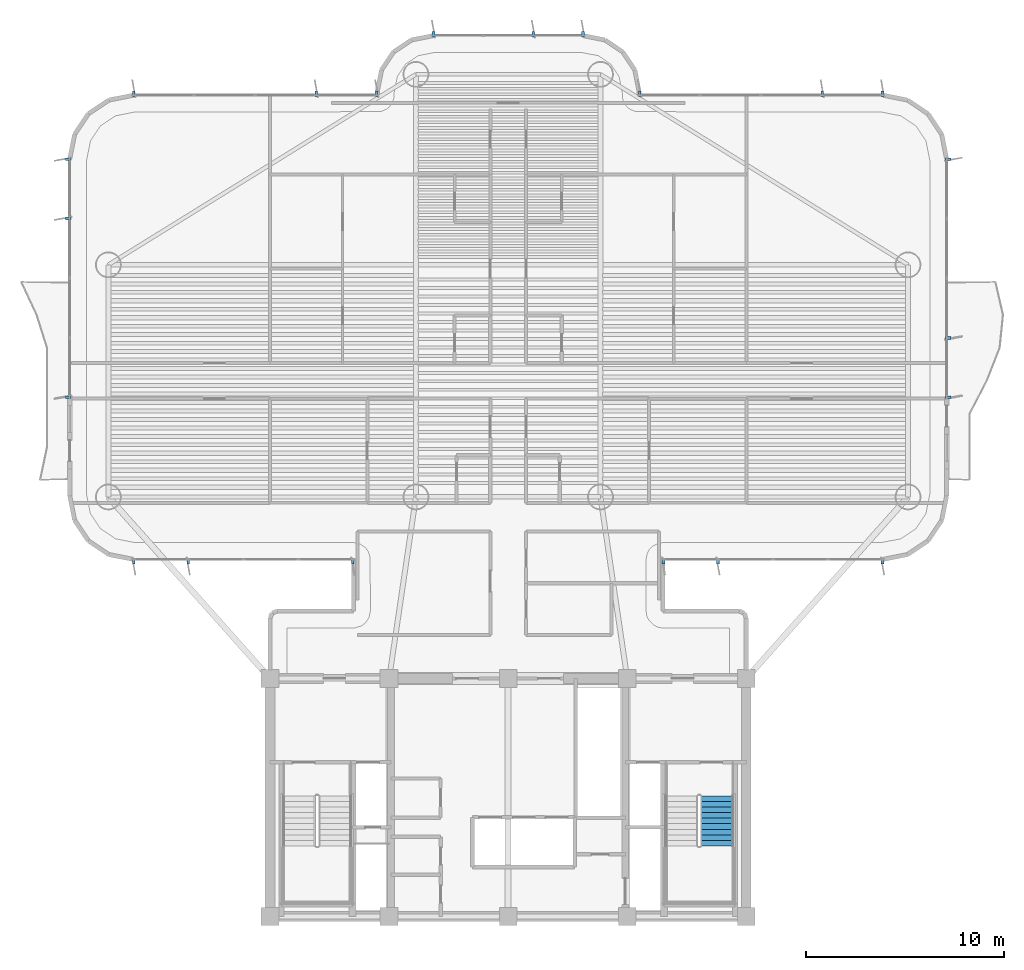
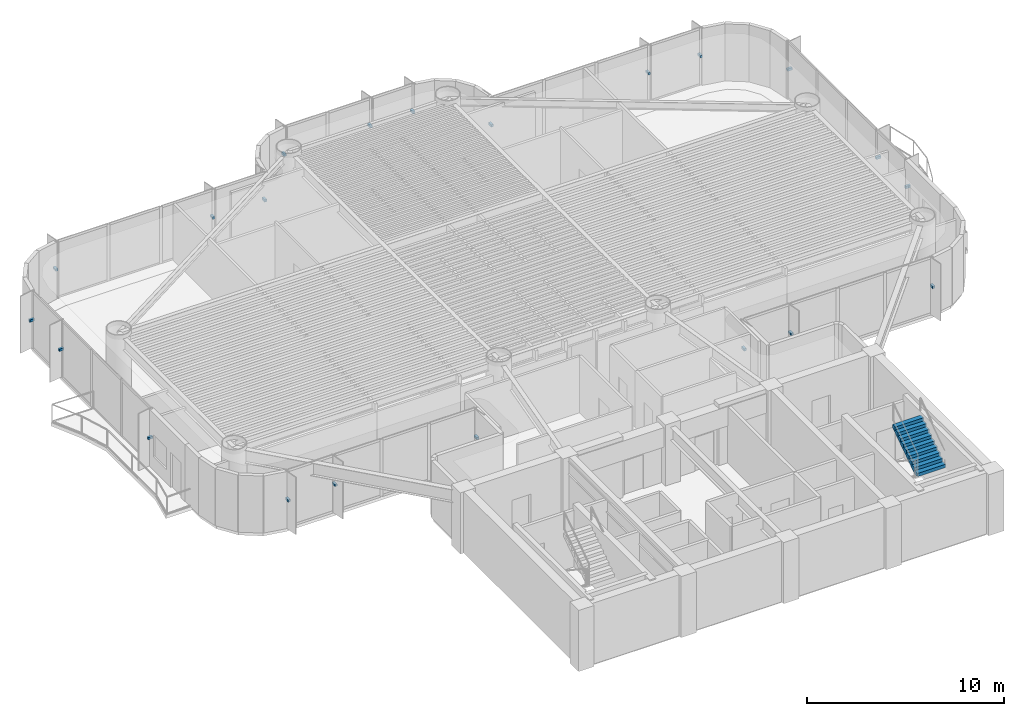
# One storey, part 13 of 17: 21 discrete accessories, 1 stair flight, 1 element without a shape of its own.
"""IFC4 building model written with IfcOpenShell, lengths in metres."""

from ifc_helpers import new_model, si_unit, direction, frame, origin, origin_2d, place, context, subcontext, project, spatial, polyline, rectangle, outline, extrude, source, transform, mapped, material, type_object, element, aggregate, save


model = new_model("IFC4")

# Units and contexts
model_context = context("Model", 3, precision=1e-05, world=origin(), true_north=direction((0.0, 1.0)))
body_context = subcontext(model_context, "Body", "Model", "MODEL_VIEW")
ifc_project = project(units=[si_unit("LENGTHUNIT", "METRE"), si_unit("AREAUNIT", "SQUARE_METRE"), si_unit("VOLUMEUNIT", "CUBIC_METRE"), si_unit("PLANEANGLEUNIT", "RADIAN"), si_unit("MASSUNIT", "GRAM", prefix="KILO")], contexts=[model_context])

# Site, building, storey
site_placement = place(None, origin())
site = spatial("IfcSite", under=ifc_project, at=site_placement, CompositionType="ELEMENT")
building_placement = place(site_placement, origin())
building = spatial("IfcBuilding", under=site, at=building_placement, Name="Brelvock Crest Care Tower", CompositionType="ELEMENT")
storey_placement = place(building_placement, frame((0.0, 0.0, 93.60009765625)))
storey = spatial("IfcBuildingStorey", under=building, at=storey_placement, Name="L23", CompositionType="ELEMENT", Elevation=93.60009765625)

# Stair, stair flight
ifc_material_1 = material(Name="Concrete N40 (40 MPa)", Category="concrete")
stair_type = type_object("IfcStairType", Name="ST-CORE1", PredefinedType="HALF_TURN_STAIR", material=ifc_material_1)
stair_placement = place(storey_placement, origin())
stair = element("IfcStair", 1, at=stair_placement, inside=storey, type_object=stair_type, Name="L23 Fire-Isolated Core Stair ST-2", PredefinedType="HALF_TURN_STAIR")
stair_flight_type = type_object("IfcStairFlightType", Name="STF-1", PredefinedType="STRAIGHT", material=ifc_material_1)
stair_flight_placement = place(storey_placement, frame((46.530029296875, 9.56005859375, 1.889892578125), z_axis=(0.0, 0.0, 1.0), x_axis=(0.0, 1.0, 0.0)))
stair_flight = element("IfcStairFlight", 2, at=stair_flight_placement, type_object=stair_flight_type, Name="ST-2 flight 2", NumberOfRisers=10, NumberOfTreads=9, PredefinedType="STRAIGHT", RiserHeight=0.189, TreadLength=0.28, context=body_context, shape_type="SweptSolid", body=[
    extrude(outline(polyline([(-0.00390625, -0.014892578125), (-0.00390625, -0.0078125), (-0.00390625, -0.00048828125), (-0.00390625, 0.0068359375), (-0.00390625, 0.01416015625), (-0.00390625, 0.021484375), (-0.00390625, 0.02880859375), (-0.00390625, 0.035888671875), (-0.00390625, 0.043212890625), (-0.00390625, 0.050537109375), (-0.00390625, 0.057861328125), (-0.00390625, 0.065185546875), (-0.00390625, 0.072509765625), (-0.00390625, 0.07958984375), (-0.00390625, 0.0869140625), (-0.00390625, 0.09423828125), (-0.00390625, 0.1015625), (-0.00390625, 0.10888671875), (-0.00390625, 0.1162109375), (-0.00390625, 0.12353515625), (-0.00390625, 0.130615234375), (-0.00390625, 0.137939453125), (-0.00390625, 0.145263671875), (-0.00390625, 0.152587890625), (-0.00390625, 0.159912109375), (-0.00390625, 0.167236328125), (-0.00390625, 0.17431640625), (-0.00390625, 0.181640625), (-0.00390625, 0.18896484375), (0.0, 0.18896484375), (0.280029296875, 0.18896484375), (0.280029296875, 0.3779296875), (0.56005859375, 0.3779296875), (0.56005859375, 0.56689453125), (0.840087890625, 0.56689453125), (0.840087890625, 0.756103515625), (1.1201171875, 0.756103515625), (1.1201171875, 0.945068359375), (1.39990234375, 0.945068359375), (1.39990234375, 1.134033203125), (1.679931640625, 1.134033203125), (1.679931640625, 1.322998046875), (1.9599609375, 1.322998046875), (1.9599609375, 1.511962890625), (2.239990234375, 1.511962890625), (2.239990234375, 1.700927734375), (2.52001953125, 1.700927734375), (2.52392578125, 1.700927734375), (2.523681640625, 1.70068359375), (2.52392578125, 1.700439453125), (2.523681640625, 1.699951171875), (2.52392578125, 1.69970703125), (2.523681640625, 1.699462890625), (2.52392578125, 1.698974609375), (2.523681640625, 1.69873046875), (2.52392578125, 1.698486328125), (2.523681640625, 1.697998046875), (2.52392578125, 1.69775390625), (2.523681640625, 1.697509765625), (2.52392578125, 1.697021484375), (2.523681640625, 1.69677734375), (2.52392578125, 1.696533203125), (2.523681640625, 1.6962890625), (2.52392578125, 1.69580078125), (2.523681640625, 1.695556640625), (2.52392578125, 1.6953125), (2.523681640625, 1.69482421875), (2.52392578125, 1.694580078125), (2.523681640625, 1.6943359375), (2.52392578125, 1.69384765625), (2.523681640625, 1.693603515625), (2.52392578125, 1.693359375), (2.523681640625, 1.69287109375), (2.52392578125, 1.692626953125), (2.523681640625, 1.6923828125), (2.52392578125, 1.69189453125), (2.52001953125, 1.520263671875), (0.267822265625, 0.0), (0.0, 0.0), (0.0, -0.014892578125), (-0.00390625, -0.014892578125)])), frame((0.0, 0.83984375, 0.0), z_axis=(0.0, -1.0, 0.0), x_axis=(1.0, 0.0, 0.0)), (0.0, 0.0, 1.0), 1.679931640625),
])
aggregate(stair, [stair_flight])

# Discrete accessories
ifc_material_2 = material(Name="Steel Grade 350", Category="steel")
discrete_accessory_type = type_object("IfcDiscreteAccessoryType", Name="ACC-BRK1", PredefinedType="BRACKET", material=ifc_material_2)
shared_shape = source(origin(), body_context, "Body", "SweptSolid", [
    extrude(rectangle(XDim=0.280029296875, YDim=0.139892578125, at=origin_2d()), origin(), (0.0, 0.0, 1.0), 0.139892578125),
])
for number, where, z_axis, x_axis, name in (
    (3, (28.169921875, 23.919921875, 1.69482421875), (0.0, 0.0, 1.0), (0.0, -1.0, 0.0), "L23 Facade Fin Bracket E12-01"),
    (4, (19.875, 23.919921875, 1.69482421875), (0.0, 0.0, 1.0), (0.0, -1.0, 0.0), "L23 Facade Fin Bracket E12-04"),
    (5, (17.1298828125, 23.919921875, 1.69482421875), (0.0, 0.0, 1.0), (0.0, -1.0, 0.0), "L23 Facade Fin Bracket E12-05"),
    (6, (13.820068359375, 32.179931640625, 1.69482421875), (0.0, 0.0, 1.0), (-1.0, 0.0, 0.0), "L23 Facade Fin Bracket E17B-01"),
    (7, (13.820068359375, 41.1875, 1.69482421875), (0.0, 0.0, 1.0), (-1.0, 0.0, 0.0), "L23 Facade Fin Bracket E17B-04"),
    (8, (13.820068359375, 44.169921875, 1.69482421875), (0.0, 0.0, 1.0), (-1.0, 0.0, 0.0), "L23 Facade Fin Bracket E17B-05"),
    (9, (17.1298828125, 47.47998046875, 1.69482421875), (0.0, 0.0, 1.0), (0.0, 1.0, 0.0), "L23 Facade Fin Bracket E22-01"),
    (10, (26.324951171875, 47.47998046875, 1.69482421875), (0.0, 0.0, 1.0), (0.0, 1.0, 0.0), "L23 Facade Fin Bracket E22-04"),
    (11, (29.3701171875, 47.47998046875, 1.69482421875), (0.0, 0.0, 1.0), (0.0, 1.0, 0.0), "L23 Facade Fin Bracket E22-05"),
    (12, (32.22998046875, 50.47998046875, 1.69482421875), (0.0, 0.0, 1.0), (0.0, 1.0, 0.0), "L23 Facade Fin Bracket E28-01"),
    (13, (37.2666015625, 50.47998046875, 1.69482421875), (0.0, 0.0, 1.0), (0.0, 1.0, 0.0), "L23 Facade Fin Bracket E28-03"),
    (14, (39.77001953125, 50.47998046875, 1.69482421875), (0.0, 0.0, 1.0), (0.0, 1.0, 0.0), "L23 Facade Fin Bracket E28-04"),
    (15, (42.6298828125, 47.47998046875, 1.69482421875), (0.0, 0.0, 1.0), (0.0, 1.0, 0.0), "L23 Facade Fin Bracket E34-01"),
    (16, (51.824951171875, 47.47998046875, 1.69482421875), (0.0, 0.0, 1.0), (0.0, 1.0, 0.0), "L23 Facade Fin Bracket E34-04"),
    (17, (54.8701171875, 47.47998046875, 1.69482421875), (0.0, 0.0, 1.0), (0.0, 1.0, 0.0), "L23 Facade Fin Bracket E34-05"),
    (18, (58.179931640625, 44.169921875, 1.69482421875), (0.0, 0.0, 1.0), (1.0, 0.0, 0.0), "L23 Facade Fin Bracket E39A-01"),
    (19, (58.179931640625, 35.16259765625, 1.69482421875), (0.0, 0.0, 1.0), (1.0, 0.0, 0.0), "L23 Facade Fin Bracket E39A-04"),
    (20, (58.179931640625, 32.179931640625, 1.69482421875), (0.0, 0.0, 1.0), (1.0, 0.0, 0.0), "L23 Facade Fin Bracket E39A-05"),
    (21, (54.8701171875, 23.919921875, 1.69482421875), (0.0, 0.0, 1.0), (0.0, -1.0, 0.0), "L23 Facade Fin Bracket E44-01"),
    (22, (46.574951171875, 23.919921875, 1.69482421875), (0.0, 0.0, 1.0), (0.0, -1.0, 0.0), "L23 Facade Fin Bracket E44-04"),
    (23, (43.830078125, 23.919921875, 1.69482421875), (0.0, 0.0, 1.0), (0.0, -1.0, 0.0), "L23 Facade Fin Bracket E44-05"),
):
    element("IfcDiscreteAccessory", number, at=place(storey_placement, frame(where, z_axis=z_axis, x_axis=x_axis)), inside=storey, type_object=discrete_accessory_type, Name=name, PredefinedType="BRACKET", context=body_context, shape_type="MappedRepresentation", body=[
        mapped(shared_shape, transform((0.0, 0.0, 0.0), x_axis=(1.0, 0.0, 0.0), y_axis=(0.0, 1.0, 0.0), z_axis=(0.0, 0.0, 1.0), scale=1.0)),
    ])

save(model, "model.ifc")
